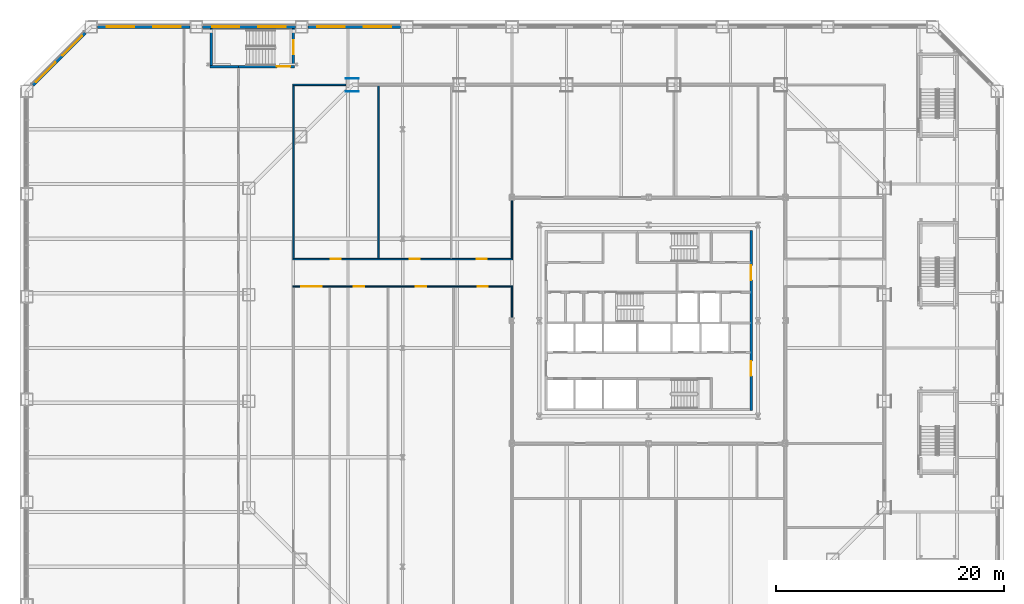
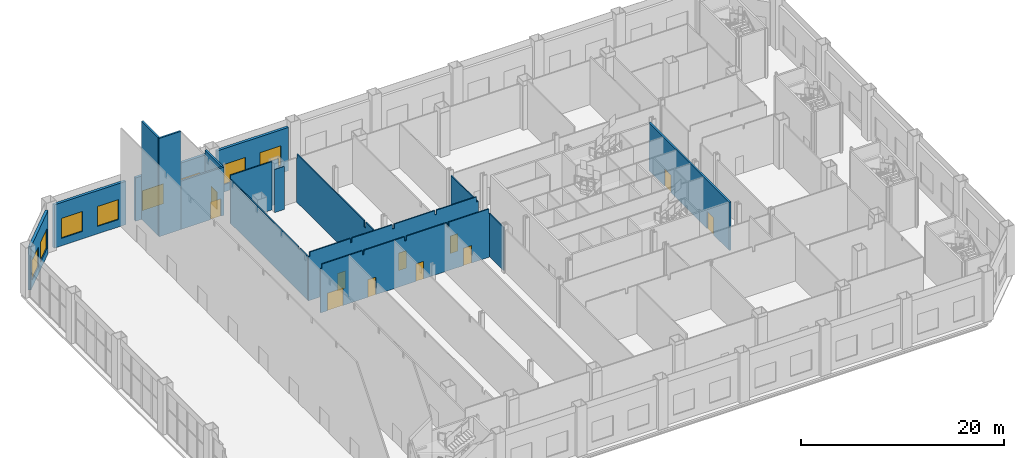
# One storey, part 19 of 31: 18 walls, 11 doors, 8 windows, 19 openings.
"""IFC4 building model written with IfcOpenShell, lengths in metres."""

from ifc_helpers import new_model, si_unit, direction, frame, frame_2d, origin, place, context, subcontext, project, spatial, polyline, rectangle, outline, extrude, material, layer, layer_set, type_object, element, fill, save


model = new_model("IFC4")

# Units and contexts
model_context = context("Model", 3, precision=1e-05, world=origin(), true_north=direction((0.0, 1.0)))
body_context = subcontext(model_context, "Body", "Model", "MODEL_VIEW")
ifc_project = project(units=[si_unit("LENGTHUNIT", "METRE"), si_unit("AREAUNIT", "SQUARE_METRE"), si_unit("VOLUMEUNIT", "CUBIC_METRE"), si_unit("PLANEANGLEUNIT", "RADIAN"), si_unit("MASSUNIT", "GRAM", prefix="KILO")], contexts=[model_context])

# Site, building, storey
site_placement = place(None, origin())
site = spatial("IfcSite", under=ifc_project, at=site_placement, CompositionType="ELEMENT")
building_placement = place(site_placement, origin())
building = spatial("IfcBuilding", under=site, at=building_placement, Name="Cairn Pilgrim Tower", CompositionType="ELEMENT")
storey_placement = place(building_placement, frame((0.0, 0.0, 9.0)))
storey = spatial("IfcBuildingStorey", under=building, at=storey_placement, Name="L01", CompositionType="ELEMENT", Elevation=9.0)

# Wall, openings, doors
ifc_material_1 = material(Name="Concrete C32/40", Category="concrete")
ifc_layer_1 = layer(ifc_material_1, 0.199951171875)
ifc_layer_set_1 = layer_set([ifc_layer_1], Name="CORE OUTER WALL 200 EI 120")
wall_type_1 = type_object("IfcWallType", Name="CORE OUTER WALL 200 EI 120", PredefinedType="SOLIDWALL", material=ifc_layer_set_1)
wall_1_placement = place(storey_placement, frame((16.199951171875, -5.5, 0.0), z_axis=(0.0, 0.0, 1.0), x_axis=(0.0, 1.0, 0.0)))
wall_1 = element("IfcWall", 1, at=wall_1_placement, inside=storey, type_object=wall_type_1, Name="CW:L01:V33", PredefinedType="SOLIDWALL", context=body_context, shape_type="SweptSolid", body=[
    extrude(rectangle(XDim=15.800048828125, YDim=0.199951171875, at=frame_2d((7.89990234375, 0.0))), origin(), (0.0, 0.0, 1.0), 5.800048828125),
])
opening_1_placement = place(wall_1_placement, frame((3.050048828125, 0.0, 0.0)))
opening_1 = element("IfcOpeningElement", 2, at=opening_1_placement, cuts=wall_1, Name="Opening CD-E1", PredefinedType="OPENING", context=body_context, shape_type="SweptSolid", body=[
    extrude(rectangle(XDim=1.300048828125, YDim=2.10009765625, at=frame_2d((0.64990234375, 1.050048828125))), frame((0.0, 0.10986328125, 0.0), z_axis=(0.0, -1.0, 0.0), x_axis=(1.0, 0.0, 0.0)), (0.0, 0.0, 1.0), 0.219970703125),
])
opening_2_placement = place(wall_1_placement, frame((11.449951171875, 0.0, 0.0)))
opening_2 = element("IfcOpeningElement", 3, at=opening_2_placement, cuts=wall_1, Name="Opening CD-E2", PredefinedType="OPENING", context=body_context, shape_type="SweptSolid", body=[
    extrude(rectangle(XDim=1.300048828125, YDim=2.10009765625, at=frame_2d((0.64990234375, 1.050048828125))), frame((0.0, 0.10986328125, 0.0), z_axis=(0.0, -1.0, 0.0), x_axis=(1.0, 0.0, 0.0)), (0.0, 0.0, 1.0), 0.219970703125),
])
ifc_material_2 = material(Name="Painted steel", Category="steel")
door_type_1 = type_object("IfcDoorType", Name="CORE LOBBY DOOR 1300x2100", OperationType="DOUBLE_DOOR_SINGLE_SWING", PredefinedType="DOOR", material=ifc_material_2)
door_1_placement = place(opening_1_placement, origin())
door_1 = element("IfcDoor", 4, at=door_1_placement, inside=storey, type_object=door_type_1, Name="CD-E1", OperationType="DOUBLE_DOOR_SINGLE_SWING", OverallHeight=2.10009765625, OverallWidth=1.300048828125, PredefinedType="DOOR", context=body_context, shape_type="SweptSolid", body=[
    extrude(rectangle(XDim=1.300048828125, YDim=2.10009765625, at=frame_2d((0.64990234375, 1.050048828125))), frame((0.0, 0.02490234375, 0.0), z_axis=(0.0, -1.0, 0.0), x_axis=(1.0, 0.0, 0.0)), (0.0, 0.0, 1.0), 0.050048828125),
])
fill(opening_1, door_1)
door_2_placement = place(opening_2_placement, origin())
door_2 = element("IfcDoor", 5, at=door_2_placement, inside=storey, type_object=door_type_1, Name="CD-E2", OperationType="DOUBLE_DOOR_SINGLE_SWING", OverallHeight=2.10009765625, OverallWidth=1.300048828125, PredefinedType="DOOR", context=body_context, shape_type="SweptSolid", body=[
    extrude(rectangle(XDim=1.300048828125, YDim=2.10009765625, at=frame_2d((0.64990234375, 1.050048828125))), frame((0.0, 0.02490234375, 0.0), z_axis=(0.0, -1.0, 0.0), x_axis=(1.0, 0.0, 0.0)), (0.0, 0.0, 1.0), 0.050048828125),
])
fill(opening_2, door_2)

# Wall
ifc_material_3 = material(Name="Gypsum partition")
ifc_layer_2 = layer(ifc_material_3, 0.125)
ifc_layer_set_2 = layer_set([ifc_layer_2], Name="PARTITION 125 DRYWALL EI 60")
wall_type_2 = type_object("IfcWallType", Name="PARTITION 125 DRYWALL EI 60", PredefinedType="PARTITIONING", material=ifc_layer_set_2)
wall_2_placement = place(storey_placement, frame((-4.800048828125, 2.636962890625, 0.0), z_axis=(0.0, 0.0, 1.0), x_axis=(0.0, 1.0, 0.0)))
element("IfcWall", 6, at=wall_2_placement, inside=storey, type_object=wall_type_2, Name="PARTITION W041", PredefinedType="PARTITIONING", context=body_context, shape_type="SweptSolid", body=[
    extrude(rectangle(XDim=2.700439453125, YDim=0.125, at=frame_2d((1.35009765625, 0.0))), origin(), (0.0, 0.0, 1.0), 5.179931640625),
])

# Wall, openings, doors
wall_3_placement = place(storey_placement, frame((-24.0625, 5.39990234375, 0.0), z_axis=(0.0, 0.0, 1.0), x_axis=(1.0, 0.0, 0.0)))
wall_3 = element("IfcWall", 7, at=wall_3_placement, inside=storey, type_object=wall_type_2, Name="PARTITION W047", PredefinedType="PARTITIONING", context=body_context, shape_type="SweptSolid", body=[
    extrude(outline(polyline([(0.0, 0.0), (19.324951171875, 0.0), (19.324951171875, 5.179931640625), (19.112548828125, 5.179931640625), (19.110595703125, 5.800048828125), (14.5625, 5.800048828125), (14.560546875, 5.280029296875), (14.362548828125, 5.280029296875), (14.360595703125, 5.800048828125), (9.762451171875, 5.800048828125), (9.760498046875, 5.280029296875), (9.5625, 5.280029296875), (9.560546875, 5.800048828125), (4.96240234375, 5.800048828125), (4.96044921875, 5.280029296875), (4.762451171875, 5.280029296875), (4.760498046875, 5.800048828125), (0.16259765625, 5.800048828125), (0.160400390625, 5.280029296875), (0.0, 5.280029296875), (0.0, 0.0)])), frame((0.0, 0.0625, 0.0), z_axis=(0.0, -1.0, 0.0), x_axis=(1.0, 0.0, 0.0)), (0.0, 0.0, 1.0), 0.125),
])
opening_3_placement = place(wall_3_placement, frame((0.762451171875, 0.0, 0.0)))
opening_3 = element("IfcOpeningElement", 8, at=opening_3_placement, cuts=wall_3, Name="Opening 0104", PredefinedType="OPENING", context=body_context, shape_type="SweptSolid", body=[
    extrude(rectangle(XDim=1.800048828125, YDim=2.10009765625, at=frame_2d((0.89990234375, 1.050048828125))), frame((0.0, 0.072509765625, 0.0), z_axis=(0.0, -1.0, 0.0), x_axis=(1.0, 0.0, 0.0)), (0.0, 0.0, 1.0), 0.14501953125),
])
opening_4_placement = place(wall_3_placement, frame((5.37255859375, 0.0, 0.0)))
opening_4 = element("IfcOpeningElement", 9, at=opening_4_placement, cuts=wall_3, Name="Opening 0105", PredefinedType="OPENING", context=body_context, shape_type="SweptSolid", body=[
    extrude(rectangle(XDim=0.89990234375, YDim=2.10009765625, at=frame_2d((0.449951171875, 1.050048828125))), frame((0.0, 0.072509765625, 0.0), z_axis=(0.0, -1.0, 0.0), x_axis=(1.0, 0.0, 0.0)), (0.0, 0.0, 1.0), 0.14501953125),
])
opening_5_placement = place(wall_3_placement, frame((10.8125, 0.0, 0.0)))
opening_5 = element("IfcOpeningElement", 10, at=opening_5_placement, cuts=wall_3, Name="Opening 0106", PredefinedType="OPENING", context=body_context, shape_type="SweptSolid", body=[
    extrude(rectangle(XDim=0.89990234375, YDim=2.10009765625, at=frame_2d((0.449951171875, 1.050048828125))), frame((0.0, 0.072509765625, 0.0), z_axis=(0.0, -1.0, 0.0), x_axis=(1.0, 0.0, 0.0)), (0.0, 0.0, 1.0), 0.14501953125),
])
opening_6_placement = place(wall_3_placement, frame((16.25244140625, 0.0, 0.0)))
opening_6 = element("IfcOpeningElement", 11, at=opening_6_placement, cuts=wall_3, Name="Opening 0107", PredefinedType="OPENING", context=body_context, shape_type="SweptSolid", body=[
    extrude(rectangle(XDim=0.89990234375, YDim=2.10009765625, at=frame_2d((0.449951171875, 1.050048828125))), frame((0.0, 0.072509765625, 0.0), z_axis=(0.0, -1.0, 0.0), x_axis=(1.0, 0.0, 0.0)), (0.0, 0.0, 1.0), 0.14501953125),
])
ifc_material_4 = material(Name="Timber door leaf", Category="wood")
door_type_2 = type_object("IfcDoorType", Name="DOOR PAIR 1800x2100 FD60S", OperationType="NOTDEFINED", PredefinedType="DOOR", material=ifc_material_4)
door_3_placement = place(opening_3_placement, origin())
door_3 = element("IfcDoor", 12, at=door_3_placement, inside=storey, type_object=door_type_2, Name="DOOR 0104", OperationType="DOUBLE_DOOR_SINGLE_SWING", OverallHeight=2.10009765625, OverallWidth=1.800048828125, PredefinedType="DOOR", context=body_context, shape_type="SweptSolid", body=[
    extrude(rectangle(XDim=1.800048828125, YDim=2.10009765625, at=frame_2d((0.89990234375, 1.050048828125))), frame((0.0, 0.02490234375, 0.0), z_axis=(0.0, -1.0, 0.0), x_axis=(1.0, 0.0, 0.0)), (0.0, 0.0, 1.0), 0.050048828125),
])
fill(opening_3, door_3)
door_type_3 = type_object("IfcDoorType", Name="ROOM DOOR 900x2100 FD30S", OperationType="NOTDEFINED", PredefinedType="DOOR", material=ifc_material_4)
door_4_placement = place(opening_4_placement, origin())
door_4 = element("IfcDoor", 13, at=door_4_placement, inside=storey, type_object=door_type_3, Name="DOOR 0105", OperationType="SINGLE_SWING_LEFT", OverallHeight=2.10009765625, OverallWidth=0.89990234375, PredefinedType="DOOR", context=body_context, shape_type="SweptSolid", body=[
    extrude(rectangle(XDim=0.89990234375, YDim=2.10009765625, at=frame_2d((0.449951171875, 1.050048828125))), frame((0.0, 0.02490234375, 0.0), z_axis=(0.0, -1.0, 0.0), x_axis=(1.0, 0.0, 0.0)), (0.0, 0.0, 1.0), 0.050048828125),
])
fill(opening_4, door_4)
door_5_placement = place(opening_5_placement, origin())
door_5 = element("IfcDoor", 14, at=door_5_placement, inside=storey, type_object=door_type_3, Name="DOOR 0106", OperationType="SINGLE_SWING_RIGHT", OverallHeight=2.10009765625, OverallWidth=0.89990234375, PredefinedType="DOOR", context=body_context, shape_type="SweptSolid", body=[
    extrude(rectangle(XDim=0.89990234375, YDim=2.10009765625, at=frame_2d((0.449951171875, 1.050048828125))), frame((0.0, 0.02490234375, 0.0), z_axis=(0.0, -1.0, 0.0), x_axis=(1.0, 0.0, 0.0)), (0.0, 0.0, 1.0), 0.050048828125),
])
fill(opening_5, door_5)
door_type_4 = type_object("IfcDoorType", Name="SERVICE DOOR 900x2100 FD30S", OperationType="NOTDEFINED", PredefinedType="DOOR", material=ifc_material_4)
door_6_placement = place(opening_6_placement, origin())
door_6 = element("IfcDoor", 15, at=door_6_placement, inside=storey, type_object=door_type_4, Name="DOOR 0107", OperationType="SINGLE_SWING_LEFT", OverallHeight=2.10009765625, OverallWidth=0.89990234375, PredefinedType="DOOR", context=body_context, shape_type="SweptSolid", body=[
    extrude(rectangle(XDim=0.89990234375, YDim=2.10009765625, at=frame_2d((0.449951171875, 1.050048828125))), frame((0.0, 0.02490234375, 0.0), z_axis=(0.0, -1.0, 0.0), x_axis=(1.0, 0.0, 0.0)), (0.0, 0.0, 1.0), 0.050048828125),
])
fill(opening_6, door_6)

wall_4_placement = place(storey_placement, frame((-24.0625, 7.800048828125, 0.0), z_axis=(0.0, 0.0, 1.0), x_axis=(1.0, 0.0, 0.0)))
wall_4 = element("IfcWall", 16, at=wall_4_placement, inside=storey, type_object=wall_type_2, Name="PARTITION W049", PredefinedType="PARTITIONING", context=body_context, shape_type="SweptSolid", body=[
    extrude(outline(polyline([(0.0, 0.0), (19.324951171875, 0.0), (19.324951171875, 5.179931640625), (19.112548828125, 5.179931640625), (19.110595703125, 5.800048828125), (14.5625, 5.800048828125), (14.560546875, 5.280029296875), (14.362548828125, 5.280029296875), (14.360595703125, 5.800048828125), (9.762451171875, 5.800048828125), (9.760498046875, 5.280029296875), (9.5625, 5.280029296875), (9.560546875, 5.800048828125), (4.96240234375, 5.800048828125), (4.96044921875, 5.280029296875), (4.762451171875, 5.280029296875), (4.760498046875, 5.800048828125), (0.16259765625, 5.800048828125), (0.160400390625, 5.280029296875), (0.0, 5.280029296875), (0.0, 0.0)])), frame((0.0, 0.0625, 0.0), z_axis=(0.0, -1.0, 0.0), x_axis=(1.0, 0.0, 0.0)), (0.0, 0.0, 1.0), 0.125),
])
opening_7_placement = place(wall_4_placement, frame((3.345703125, 0.0, 0.0)))
opening_7 = element("IfcOpeningElement", 17, at=opening_7_placement, cuts=wall_4, Name="Opening 0101", PredefinedType="OPENING", context=body_context, shape_type="SweptSolid", body=[
    extrude(rectangle(XDim=0.89990234375, YDim=2.10009765625, at=frame_2d((0.449951171875, 1.050048828125))), frame((0.0, 0.072509765625, 0.0), z_axis=(0.0, -1.0, 0.0), x_axis=(1.0, 0.0, 0.0)), (0.0, 0.0, 1.0), 0.14501953125),
])
opening_8_placement = place(wall_4_placement, frame((10.279541015625, 0.0, 0.0)))
opening_8 = element("IfcOpeningElement", 18, at=opening_8_placement, cuts=wall_4, Name="Opening 0102", PredefinedType="OPENING", context=body_context, shape_type="SweptSolid", body=[
    extrude(rectangle(XDim=0.89990234375, YDim=2.10009765625, at=frame_2d((0.449951171875, 1.050048828125))), frame((0.0, 0.072509765625, 0.0), z_axis=(0.0, -1.0, 0.0), x_axis=(1.0, 0.0, 0.0)), (0.0, 0.0, 1.0), 0.14501953125),
])
opening_9_placement = place(wall_4_placement, frame((16.146240234375, 0.0, 0.0)))
opening_9 = element("IfcOpeningElement", 19, at=opening_9_placement, cuts=wall_4, Name="Opening 0103", PredefinedType="OPENING", context=body_context, shape_type="SweptSolid", body=[
    extrude(rectangle(XDim=0.89990234375, YDim=2.10009765625, at=frame_2d((0.449951171875, 1.050048828125))), frame((0.0, 0.072509765625, 0.0), z_axis=(0.0, -1.0, 0.0), x_axis=(1.0, 0.0, 0.0)), (0.0, 0.0, 1.0), 0.14501953125),
])
door_7_placement = place(opening_7_placement, frame((0.89990234375, 0.0, 0.0), z_axis=(0.0, 0.0, 1.0), x_axis=(-1.0, 0.0, 0.0)))
door_7 = element("IfcDoor", 20, at=door_7_placement, inside=storey, type_object=door_type_3, Name="DOOR 0101", OperationType="SINGLE_SWING_LEFT", OverallHeight=2.10009765625, OverallWidth=0.89990234375, PredefinedType="DOOR", context=body_context, shape_type="SweptSolid", body=[
    extrude(rectangle(XDim=0.89990234375, YDim=2.10009765625, at=frame_2d((0.449951171875, 1.050048828125))), frame((0.0, 0.02490234375, 0.0), z_axis=(0.0, -1.0, 0.0), x_axis=(1.0, 0.0, 0.0)), (0.0, 0.0, 1.0), 0.050048828125),
])
fill(opening_7, door_7)
door_8_placement = place(opening_8_placement, frame((0.89990234375, 0.0, 0.0), z_axis=(0.0, 0.0, 1.0), x_axis=(-1.0, 0.0, 0.0)))
door_8 = element("IfcDoor", 21, at=door_8_placement, inside=storey, type_object=door_type_3, Name="DOOR 0102", OperationType="SINGLE_SWING_RIGHT", OverallHeight=2.10009765625, OverallWidth=0.89990234375, PredefinedType="DOOR", context=body_context, shape_type="SweptSolid", body=[
    extrude(rectangle(XDim=0.89990234375, YDim=2.10009765625, at=frame_2d((0.449951171875, 1.050048828125))), frame((0.0, 0.02490234375, 0.0), z_axis=(0.0, -1.0, 0.0), x_axis=(1.0, 0.0, 0.0)), (0.0, 0.0, 1.0), 0.050048828125),
])
fill(opening_8, door_8)
door_9_placement = place(opening_9_placement, frame((0.89990234375, 0.0, 0.0), z_axis=(0.0, 0.0, 1.0), x_axis=(-1.0, 0.0, 0.0)))
door_9 = element("IfcDoor", 22, at=door_9_placement, inside=storey, type_object=door_type_3, Name="DOOR 0103", OperationType="SINGLE_SWING_RIGHT", OverallHeight=2.10009765625, OverallWidth=0.89990234375, PredefinedType="DOOR", context=body_context, shape_type="SweptSolid", body=[
    extrude(rectangle(XDim=0.89990234375, YDim=2.10009765625, at=frame_2d((0.449951171875, 1.050048828125))), frame((0.0, 0.02490234375, 0.0), z_axis=(0.0, -1.0, 0.0), x_axis=(1.0, 0.0, 0.0)), (0.0, 0.0, 1.0), 0.050048828125),
])
fill(opening_9, door_9)

# Walls
wall_5_placement = place(storey_placement, frame((-24.0, 7.862548828125, 0.0), z_axis=(0.0, 0.0, 1.0), x_axis=(0.0, 1.0, 0.0)))
element("IfcWall", 23, at=wall_5_placement, inside=storey, type_object=wall_type_2, Name="PARTITION W051", PredefinedType="PARTITIONING", context=body_context, shape_type="SweptSolid", body=[
    extrude(outline(polyline([(0.0, 0.0), (15.175048828125, 0.0), (15.175048828125, 5.280029296875), (1.887451171875, 5.280029296875), (1.885498046875, 5.080078125), (1.58740234375, 5.080078125), (1.58544921875, 5.280029296875), (0.0, 5.280029296875), (0.0, 0.0)])), frame((0.0, 0.0625, 0.0), z_axis=(0.0, -1.0, 0.0), x_axis=(1.0, 0.0, 0.0)), (0.0, 0.0, 1.0), 0.125),
])
wall_6_placement = place(storey_placement, frame((-16.532958984375, 7.862548828125, 0.0), z_axis=(0.0, 0.0, 1.0), x_axis=(0.0, 1.0, 0.0)))
element("IfcWall", 24, at=wall_6_placement, inside=storey, type_object=wall_type_2, Name="PARTITION W052", PredefinedType="PARTITIONING", context=body_context, shape_type="SweptSolid", body=[
    extrude(outline(polyline([(0.0, 0.0), (15.175048828125, 0.0), (15.175048828125, 5.280029296875), (15.08740234375, 5.280029296875), (15.08544921875, 5.800048828125), (1.887451171875, 5.800048828125), (1.885498046875, 5.080078125), (1.58740234375, 5.080078125), (1.58544921875, 5.800048828125), (0.0, 5.800048828125), (0.0, 0.0)])), frame((0.0, 0.0625, 0.0), z_axis=(0.0, -1.0, 0.0), x_axis=(1.0, 0.0, 0.0)), (0.0, 0.0, 1.0), 0.125),
])
wall_7_placement = place(storey_placement, frame((-4.800048828125, 7.862548828125, 0.0), z_axis=(0.0, 0.0, 1.0), x_axis=(0.0, 1.0, 0.0)))
element("IfcWall", 25, at=wall_7_placement, inside=storey, type_object=wall_type_2, Name="PARTITION W054", PredefinedType="PARTITIONING", context=body_context, shape_type="SweptSolid", body=[
    extrude(rectangle(XDim=5.100341796875, YDim=0.125, at=frame_2d((2.55029296875, 0.0))), origin(), (0.0, 0.0, 1.0), 5.179931640625),
])
wall_8_placement = place(storey_placement, frame((-24.0625, 23.10009765625, 0.0), z_axis=(0.0, 0.0, 1.0), x_axis=(1.0, 0.0, 0.0)))
element("IfcWall", 26, at=wall_8_placement, inside=storey, type_object=wall_type_2, Name="PARTITION W070", PredefinedType="PARTITIONING", context=body_context, shape_type="SweptSolid", body=[
    extrude(rectangle(XDim=4.685302734375, YDim=0.125, at=frame_2d((2.3427734375, 0.0))), origin(), (0.0, 0.0, 1.0), 5.800048828125),
])
ifc_layer_3 = layer(ifc_material_3, 0.050048828125)
ifc_layer_set_3 = layer_set([ifc_layer_3], Name="PARTITION 50 DRYWALL EI 60")
wall_type_3 = type_object("IfcWallType", Name="PARTITION 50 DRYWALL EI 60", PredefinedType="PARTITIONING", material=ifc_layer_set_3)
wall_9_placement = place(storey_placement, frame((-19.377197265625, 22.52490234375, 0.0), z_axis=(0.0, 0.0, 1.0), x_axis=(1.0, 0.0, 0.0)))
element("IfcWall", 27, at=wall_9_placement, inside=storey, type_object=wall_type_3, Name="COLUMN CASING WC38", PredefinedType="PARTITIONING", context=body_context, shape_type="SweptSolid", body=[
    extrude(rectangle(XDim=1.10009765625, YDim=0.050048828125, at=frame_2d((0.550048828125, 0.0))), origin(), (0.0, 0.0, 1.0), 5.179931640625),
])
wall_10_placement = place(storey_placement, frame((-19.377197265625, 23.675048828125, 0.0), z_axis=(0.0, 0.0, 1.0), x_axis=(1.0, 0.0, 0.0)))
element("IfcWall", 28, at=wall_10_placement, inside=storey, type_object=wall_type_3, Name="COLUMN CASING WC39", PredefinedType="PARTITIONING", context=body_context, shape_type="SweptSolid", body=[
    extrude(rectangle(XDim=1.10009765625, YDim=0.050048828125, at=frame_2d((0.550048828125, 0.0))), origin(), (0.0, 0.0, 1.0), 5.419921875),
])
ifc_material_5 = material(Name="Concrete C35/45", Category="concrete")
ifc_layer_4 = layer(ifc_material_5, 0.199951171875)
ifc_layer_set_4 = layer_set([ifc_layer_4], Name="PODIUM STAIR WALL 200 EI 120")
wall_type_4 = type_object("IfcWallType", Name="PODIUM STAIR WALL 200 EI 120", PredefinedType="SOLIDWALL", material=ifc_layer_set_4)
wall_11_placement = place(storey_placement, frame((-31.300048828125, 24.699951171875, 0.0), z_axis=(0.0, 0.0, 1.0), x_axis=(1.0, 0.0, 0.0)))
element("IfcWall", 29, at=wall_11_placement, inside=storey, type_object=wall_type_4, Name="STAIR SHAFT WALL W076", PredefinedType="SOLIDWALL", context=body_context, shape_type="SweptSolid", body=[
    extrude(rectangle(XDim=2.5, YDim=0.199951171875, at=frame_2d((1.25, 0.0))), origin(), (0.0, 0.0, 1.0), 11.800048828125),
])

# Wall, opening, door
wall_12_placement = place(storey_placement, frame((-28.800048828125, 24.699951171875, 0.0), z_axis=(0.0, 0.0, 1.0), x_axis=(1.0, 0.0, 0.0)))
wall_12 = element("IfcWall", 30, at=wall_12_placement, inside=storey, type_object=wall_type_4, Name="STAIR SHAFT WALL W077", PredefinedType="SOLIDWALL", context=body_context, shape_type="SweptSolid", body=[
    extrude(rectangle(XDim=4.900146484375, YDim=0.199951171875, at=frame_2d((2.4501953125, 0.0))), origin(), (0.0, 0.0, 1.0), 5.800048828125),
])
opening_10_placement = place(wall_12_placement, frame((3.35009765625, 0.0, 0.0)))
opening_10 = element("IfcOpeningElement", 31, at=opening_10_placement, cuts=wall_12, Name="Opening 0124", PredefinedType="OPENING", context=body_context, shape_type="SweptSolid", body=[
    extrude(rectangle(XDim=1.199951171875, YDim=2.10009765625, at=frame_2d((0.60009765625, 1.050048828125))), frame((0.0, 0.10986328125, 0.0), z_axis=(0.0, -1.0, 0.0), x_axis=(1.0, 0.0, 0.0)), (0.0, 0.0, 1.0), 0.219970703125),
])
ifc_material_6 = material(Name="Steel-faced fire door leaf", Category="steel")
door_type_5 = type_object("IfcDoorType", Name="FIRE DOOR 1200x2100 FD60S", OperationType="NOTDEFINED", PredefinedType="DOOR", material=ifc_material_6)
door_10_placement = place(opening_10_placement, origin())
door_10 = element("IfcDoor", 32, at=door_10_placement, inside=storey, type_object=door_type_5, Name="DOOR 0124", OperationType="SINGLE_SWING_RIGHT", OverallHeight=2.10009765625, OverallWidth=1.199951171875, PredefinedType="DOOR", context=body_context, shape_type="SweptSolid", body=[
    extrude(rectangle(XDim=1.199951171875, YDim=2.10009765625, at=frame_2d((0.60009765625, 1.050048828125))), frame((0.0, 0.02490234375, 0.0), z_axis=(0.0, -1.0, 0.0), x_axis=(1.0, 0.0, 0.0)), (0.0, 0.0, 1.0), 0.050048828125),
])
fill(opening_10, door_10)

# Wall
wall_13_placement = place(storey_placement, frame((-31.199951171875, 24.800048828125, 0.0), z_axis=(0.0, 0.0, 1.0), x_axis=(0.0, 1.0, 0.0)))
element("IfcWall", 33, at=wall_13_placement, inside=storey, type_object=wall_type_4, Name="STAIR SHAFT WALL W078", PredefinedType="SOLIDWALL", context=body_context, shape_type="SweptSolid", body=[
    extrude(rectangle(XDim=3.25, YDim=0.199951171875, at=frame_2d((1.625, 0.0))), origin(), (0.0, 0.0, 1.0), 11.800048828125),
])

# Wall, opening, door
wall_14_placement = place(storey_placement, frame((-24.0, 24.800048828125, 0.0), z_axis=(0.0, 0.0, 1.0), x_axis=(0.0, 1.0, 0.0)))
wall_14 = element("IfcWall", 34, at=wall_14_placement, inside=storey, type_object=wall_type_4, Name="STAIR SHAFT WALL W079", PredefinedType="SOLIDWALL", context=body_context, shape_type="SweptSolid", body=[
    extrude(rectangle(XDim=3.25, YDim=0.199951171875, at=frame_2d((1.625, 0.0))), origin(), (0.0, 0.0, 1.0), 5.800048828125),
])
opening_11_placement = place(wall_14_placement, frame((1.0, 0.0, 0.0)))
opening_11 = element("IfcOpeningElement", 35, at=opening_11_placement, cuts=wall_14, Name="Opening 0125", PredefinedType="OPENING", context=body_context, shape_type="SweptSolid", body=[
    extrude(rectangle(XDim=1.199951171875, YDim=2.10009765625, at=frame_2d((0.60009765625, 1.050048828125))), frame((0.0, 0.10986328125, 0.0), z_axis=(0.0, -1.0, 0.0), x_axis=(1.0, 0.0, 0.0)), (0.0, 0.0, 1.0), 0.219970703125),
])
door_11_placement = place(opening_11_placement, origin())
door_11 = element("IfcDoor", 36, at=door_11_placement, inside=storey, type_object=door_type_5, Name="DOOR 0125", OperationType="SINGLE_SWING_LEFT", OverallHeight=2.10009765625, OverallWidth=1.199951171875, PredefinedType="DOOR", context=body_context, shape_type="SweptSolid", body=[
    extrude(rectangle(XDim=1.199951171875, YDim=2.10009765625, at=frame_2d((0.60009765625, 1.050048828125))), frame((0.0, 0.02490234375, 0.0), z_axis=(0.0, -1.0, 0.0), x_axis=(1.0, 0.0, 0.0)), (0.0, 0.0, 1.0), 0.050048828125),
])
fill(opening_11, door_11)

# Wall, openings, windows
ifc_material_7 = material(Name="Concrete C35/45 backup wall with bronze aluminium cladding", Category="concrete")
ifc_layer_5 = layer(ifc_material_7, 0.300048828125)
ifc_layer_set_5 = layer_set([ifc_layer_5], Name="PODIUM WALL 300 BRONZE-CLAD")
wall_type_5 = type_object("IfcWallType", Name="PODIUM WALL 300 BRONZE-CLAD", PredefinedType="SOLIDWALL", material=ifc_layer_set_5)
wall_15_placement = place(storey_placement, frame((-14.587890625, 28.199951171875, 0.0), z_axis=(0.0, 0.0, 1.0), x_axis=(-1.0, 0.0, 0.0)))
wall_15 = element("IfcWall", 37, at=wall_15_placement, inside=storey, type_object=wall_type_5, Name="PODIUM EXTERNAL WALL N6-N7", PredefinedType="SOLIDWALL", context=body_context, shape_type="SweptSolid", body=[
    extrude(rectangle(XDim=8.1376953125, YDim=0.300048828125, at=frame_2d((4.06884765625, 0.0))), origin(), (0.0, 0.0, 1.0), 5.199951171875),
])
opening_12_placement = place(wall_15_placement, frame((0.83447265625, 0.0, 0.89990234375)))
opening_12 = element("IfcOpeningElement", 38, at=opening_12_placement, cuts=wall_15, Name="Opening PW24", PredefinedType="OPENING", context=body_context, shape_type="SweptSolid", body=[
    extrude(rectangle(XDim=2.39990234375, YDim=2.39990234375, at=frame_2d((1.199951171875, 1.199951171875))), frame((0.0, 0.16015625, 0.0), z_axis=(0.0, -1.0, 0.0), x_axis=(1.0, 0.0, 0.0)), (0.0, 0.0, 1.0), 0.320068359375),
])
opening_13_placement = place(wall_15_placement, frame((4.9033203125, 0.0, 0.89990234375)))
opening_13 = element("IfcOpeningElement", 39, at=opening_13_placement, cuts=wall_15, Name="Opening PW24", PredefinedType="OPENING", context=body_context, shape_type="SweptSolid", body=[
    extrude(rectangle(XDim=2.39990234375, YDim=2.39990234375, at=frame_2d((1.199951171875, 1.199951171875))), frame((0.0, 0.16015625, 0.0), z_axis=(0.0, -1.0, 0.0), x_axis=(1.0, 0.0, 0.0)), (0.0, 0.0, 1.0), 0.320068359375),
])
ifc_material_8 = material(Name="Bronze anodised aluminium frame with tinted low-E glass", Category="aluminium")
window_type = type_object("IfcWindowType", Name="PODIUM FIXED WINDOW 2400x2400", PartitioningType="SINGLE_PANEL", PredefinedType="WINDOW", material=ifc_material_8)
window_1_placement = place(opening_12_placement, origin())
window_1 = element("IfcWindow", 40, at=window_1_placement, inside=storey, type_object=window_type, Name="PODIUM WINDOW", OverallHeight=2.39990234375, OverallWidth=2.39990234375, PartitioningType="SINGLE_PANEL", PredefinedType="WINDOW", context=body_context, shape_type="SweptSolid", body=[
    extrude(rectangle(XDim=2.39990234375, YDim=2.39990234375, at=frame_2d((1.199951171875, 1.199951171875))), frame((0.0, 0.030029296875, 0.0), z_axis=(0.0, -1.0, 0.0), x_axis=(1.0, 0.0, 0.0)), (0.0, 0.0, 1.0), 0.06005859375),
])
fill(opening_12, window_1)
window_2_placement = place(opening_13_placement, origin())
window_2 = element("IfcWindow", 41, at=window_2_placement, inside=storey, type_object=window_type, Name="PODIUM WINDOW", OverallHeight=2.39990234375, OverallWidth=2.39990234375, PartitioningType="SINGLE_PANEL", PredefinedType="WINDOW", context=body_context, shape_type="SweptSolid", body=[
    extrude(rectangle(XDim=2.39990234375, YDim=2.39990234375, at=frame_2d((1.199951171875, 1.199951171875))), frame((0.0, 0.030029296875, 0.0), z_axis=(0.0, -1.0, 0.0), x_axis=(1.0, 0.0, 0.0)), (0.0, 0.0, 1.0), 0.06005859375),
])
fill(opening_13, window_2)

wall_16_placement = place(storey_placement, frame((-23.82568359375, 28.199951171875, 0.0), z_axis=(0.0, 0.0, 1.0), x_axis=(-1.0, 0.0, 0.0)))
wall_16 = element("IfcWall", 42, at=wall_16_placement, inside=storey, type_object=wall_type_5, Name="PODIUM EXTERNAL WALL N7-N8", PredefinedType="SOLIDWALL", context=body_context, shape_type="SweptSolid", body=[
    extrude(rectangle(XDim=8.137939453125, YDim=0.300048828125, at=frame_2d((4.06884765625, 0.0))), origin(), (0.0, 0.0, 1.0), 5.199951171875),
])
opening_14_placement = place(wall_16_placement, frame((0.83447265625, 0.0, 0.89990234375)))
opening_14 = element("IfcOpeningElement", 43, at=opening_14_placement, cuts=wall_16, Name="Opening PW24", PredefinedType="OPENING", context=body_context, shape_type="SweptSolid", body=[
    extrude(rectangle(XDim=2.39990234375, YDim=2.39990234375, at=frame_2d((1.199951171875, 1.199951171875))), frame((0.0, 0.16015625, 0.0), z_axis=(0.0, -1.0, 0.0), x_axis=(1.0, 0.0, 0.0)), (0.0, 0.0, 1.0), 0.320068359375),
])
opening_15_placement = place(wall_16_placement, frame((4.9033203125, 0.0, 0.89990234375)))
opening_15 = element("IfcOpeningElement", 44, at=opening_15_placement, cuts=wall_16, Name="Opening PW24", PredefinedType="OPENING", context=body_context, shape_type="SweptSolid", body=[
    extrude(rectangle(XDim=2.39990234375, YDim=2.39990234375, at=frame_2d((1.199951171875, 1.199951171875))), frame((0.0, 0.16015625, 0.0), z_axis=(0.0, -1.0, 0.0), x_axis=(1.0, 0.0, 0.0)), (0.0, 0.0, 1.0), 0.320068359375),
])
window_3_placement = place(opening_14_placement, origin())
window_3 = element("IfcWindow", 45, at=window_3_placement, inside=storey, type_object=window_type, Name="PODIUM WINDOW", OverallHeight=2.39990234375, OverallWidth=2.39990234375, PartitioningType="SINGLE_PANEL", PredefinedType="WINDOW", context=body_context, shape_type="SweptSolid", body=[
    extrude(rectangle(XDim=2.39990234375, YDim=2.39990234375, at=frame_2d((1.199951171875, 1.199951171875))), frame((0.0, 0.030029296875, 0.0), z_axis=(0.0, -1.0, 0.0), x_axis=(1.0, 0.0, 0.0)), (0.0, 0.0, 1.0), 0.06005859375),
])
fill(opening_14, window_3)
window_4_placement = place(opening_15_placement, origin())
window_4 = element("IfcWindow", 46, at=window_4_placement, inside=storey, type_object=window_type, Name="PODIUM WINDOW", OverallHeight=2.39990234375, OverallWidth=2.39990234375, PartitioningType="SINGLE_PANEL", PredefinedType="WINDOW", context=body_context, shape_type="SweptSolid", body=[
    extrude(rectangle(XDim=2.39990234375, YDim=2.39990234375, at=frame_2d((1.199951171875, 1.199951171875))), frame((0.0, 0.030029296875, 0.0), z_axis=(0.0, -1.0, 0.0), x_axis=(1.0, 0.0, 0.0)), (0.0, 0.0, 1.0), 0.06005859375),
])
fill(opening_15, window_4)

wall_17_placement = place(storey_placement, frame((-33.063720703125, 28.199951171875, 0.0), z_axis=(0.0, 0.0, 1.0), x_axis=(-1.0, 0.0, 0.0)))
wall_17 = element("IfcWall", 47, at=wall_17_placement, inside=storey, type_object=wall_type_5, Name="PODIUM EXTERNAL WALL N8-NW1", PredefinedType="SOLIDWALL", context=body_context, shape_type="SweptSolid", body=[
    extrude(rectangle(XDim=8.1376953125, YDim=0.300048828125, at=frame_2d((4.06884765625, 0.0))), origin(), (0.0, 0.0, 1.0), 5.199951171875),
])
opening_16_placement = place(wall_17_placement, frame((0.83447265625, 0.0, 0.89990234375)))
opening_16 = element("IfcOpeningElement", 48, at=opening_16_placement, cuts=wall_17, Name="Opening PW24", PredefinedType="OPENING", context=body_context, shape_type="SweptSolid", body=[
    extrude(rectangle(XDim=2.39990234375, YDim=2.39990234375, at=frame_2d((1.199951171875, 1.199951171875))), frame((0.0, 0.16015625, 0.0), z_axis=(0.0, -1.0, 0.0), x_axis=(1.0, 0.0, 0.0)), (0.0, 0.0, 1.0), 0.320068359375),
])
opening_17_placement = place(wall_17_placement, frame((4.9033203125, 0.0, 0.89990234375)))
opening_17 = element("IfcOpeningElement", 49, at=opening_17_placement, cuts=wall_17, Name="Opening PW24", PredefinedType="OPENING", context=body_context, shape_type="SweptSolid", body=[
    extrude(rectangle(XDim=2.39990234375, YDim=2.39990234375, at=frame_2d((1.199951171875, 1.199951171875))), frame((0.0, 0.16015625, 0.0), z_axis=(0.0, -1.0, 0.0), x_axis=(1.0, 0.0, 0.0)), (0.0, 0.0, 1.0), 0.320068359375),
])
window_5_placement = place(opening_16_placement, origin())
window_5 = element("IfcWindow", 50, at=window_5_placement, inside=storey, type_object=window_type, Name="PODIUM WINDOW", OverallHeight=2.39990234375, OverallWidth=2.39990234375, PartitioningType="SINGLE_PANEL", PredefinedType="WINDOW", context=body_context, shape_type="SweptSolid", body=[
    extrude(rectangle(XDim=2.39990234375, YDim=2.39990234375, at=frame_2d((1.199951171875, 1.199951171875))), frame((0.0, 0.030029296875, 0.0), z_axis=(0.0, -1.0, 0.0), x_axis=(1.0, 0.0, 0.0)), (0.0, 0.0, 1.0), 0.06005859375),
])
fill(opening_16, window_5)
window_6_placement = place(opening_17_placement, origin())
window_6 = element("IfcWindow", 51, at=window_6_placement, inside=storey, type_object=window_type, Name="PODIUM WINDOW", OverallHeight=2.39990234375, OverallWidth=2.39990234375, PartitioningType="SINGLE_PANEL", PredefinedType="WINDOW", context=body_context, shape_type="SweptSolid", body=[
    extrude(rectangle(XDim=2.39990234375, YDim=2.39990234375, at=frame_2d((1.199951171875, 1.199951171875))), frame((0.0, 0.030029296875, 0.0), z_axis=(0.0, -1.0, 0.0), x_axis=(1.0, 0.0, 0.0)), (0.0, 0.0, 1.0), 0.06005859375),
])
fill(opening_17, window_6)

wall_18_placement = place(storey_placement, frame((-42.274658203125, 27.6767578125, 0.0), z_axis=(0.0, 0.0, 1.0), x_axis=(-0.707106781187, -0.707106781187, 0.0)))
wall_18 = element("IfcWall", 52, at=wall_18_placement, inside=storey, type_object=wall_type_5, Name="PODIUM EXTERNAL WALL NW1-W1", PredefinedType="SOLIDWALL", context=body_context, shape_type="SweptSolid", body=[
    extrude(rectangle(XDim=6.50830078125, YDim=0.300048828125, at=frame_2d((3.254150390625, 0.0))), origin(), (0.0, 0.0, 1.0), 5.199951171875),
])
opening_18_placement = place(wall_18_placement, frame((0.427001953125, 0.0, 0.89990234375)))
opening_18 = element("IfcOpeningElement", 53, at=opening_18_placement, cuts=wall_18, Name="Opening PW24", PredefinedType="OPENING", context=body_context, shape_type="SweptSolid", body=[
    extrude(rectangle(XDim=2.39990234375, YDim=2.39990234375, at=frame_2d((1.199951171875, 1.199951171875))), frame((0.0, 0.16015625, 0.0), z_axis=(0.0, -1.0, 0.0), x_axis=(1.0, 0.0, 0.0)), (0.0, 0.0, 1.0), 0.320068359375),
])
opening_19_placement = place(wall_18_placement, frame((3.68115234375, 0.0, 0.89990234375)))
opening_19 = element("IfcOpeningElement", 54, at=opening_19_placement, cuts=wall_18, Name="Opening PW24", PredefinedType="OPENING", context=body_context, shape_type="SweptSolid", body=[
    extrude(rectangle(XDim=2.39990234375, YDim=2.39990234375, at=frame_2d((1.199951171875, 1.199951171875))), frame((0.0, 0.16015625, 0.0), z_axis=(0.0, -1.0, 0.0), x_axis=(1.0, 0.0, 0.0)), (0.0, 0.0, 1.0), 0.320068359375),
])
window_7_placement = place(opening_18_placement, origin())
window_7 = element("IfcWindow", 55, at=window_7_placement, inside=storey, type_object=window_type, Name="PODIUM WINDOW", OverallHeight=2.39990234375, OverallWidth=2.39990234375, PartitioningType="SINGLE_PANEL", PredefinedType="WINDOW", context=body_context, shape_type="SweptSolid", body=[
    extrude(rectangle(XDim=2.39990234375, YDim=2.39990234375, at=frame_2d((1.199951171875, 1.199951171875))), frame((0.0, 0.030029296875, 0.0), z_axis=(0.0, -1.0, 0.0), x_axis=(1.0, 0.0, 0.0)), (0.0, 0.0, 1.0), 0.06005859375),
])
fill(opening_18, window_7)
window_8_placement = place(opening_19_placement, origin())
window_8 = element("IfcWindow", 56, at=window_8_placement, inside=storey, type_object=window_type, Name="PODIUM WINDOW", OverallHeight=2.39990234375, OverallWidth=2.39990234375, PartitioningType="SINGLE_PANEL", PredefinedType="WINDOW", context=body_context, shape_type="SweptSolid", body=[
    extrude(rectangle(XDim=2.39990234375, YDim=2.39990234375, at=frame_2d((1.199951171875, 1.199951171875))), frame((0.0, 0.030029296875, 0.0), z_axis=(0.0, -1.0, 0.0), x_axis=(1.0, 0.0, 0.0)), (0.0, 0.0, 1.0), 0.06005859375),
])
fill(opening_19, window_8)

save(model, "model.ifc")
